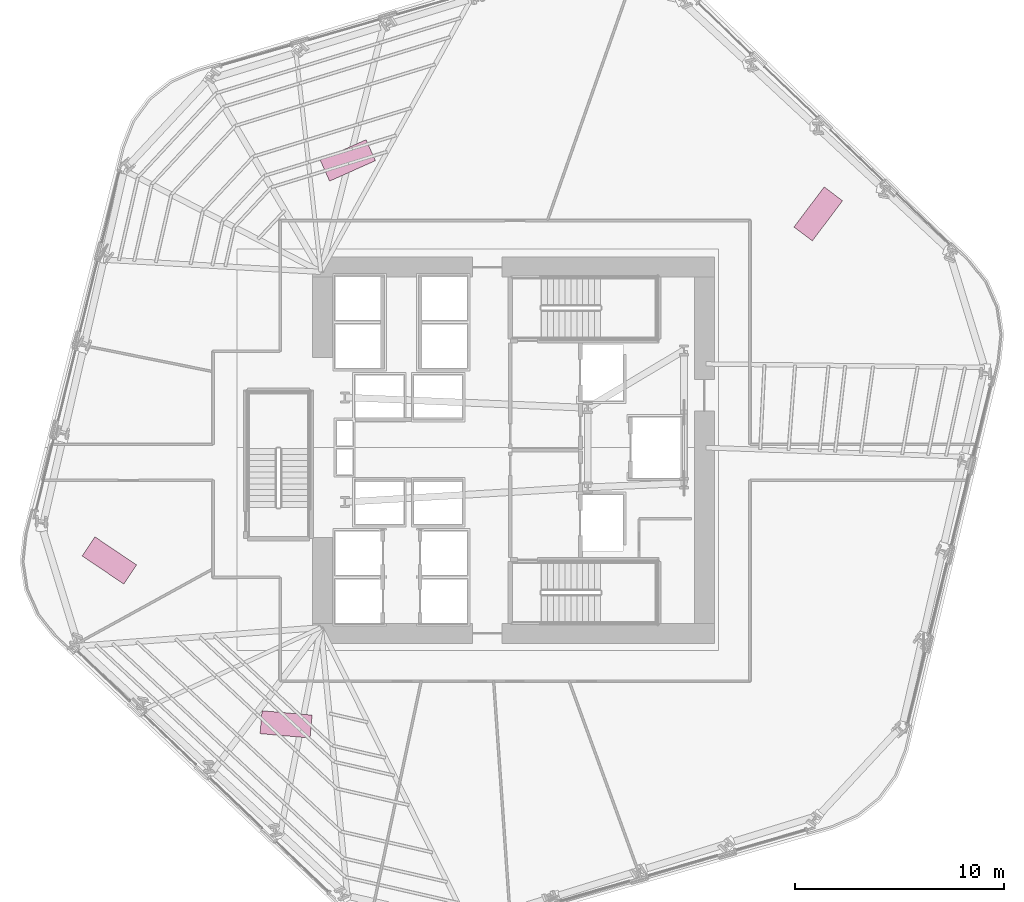
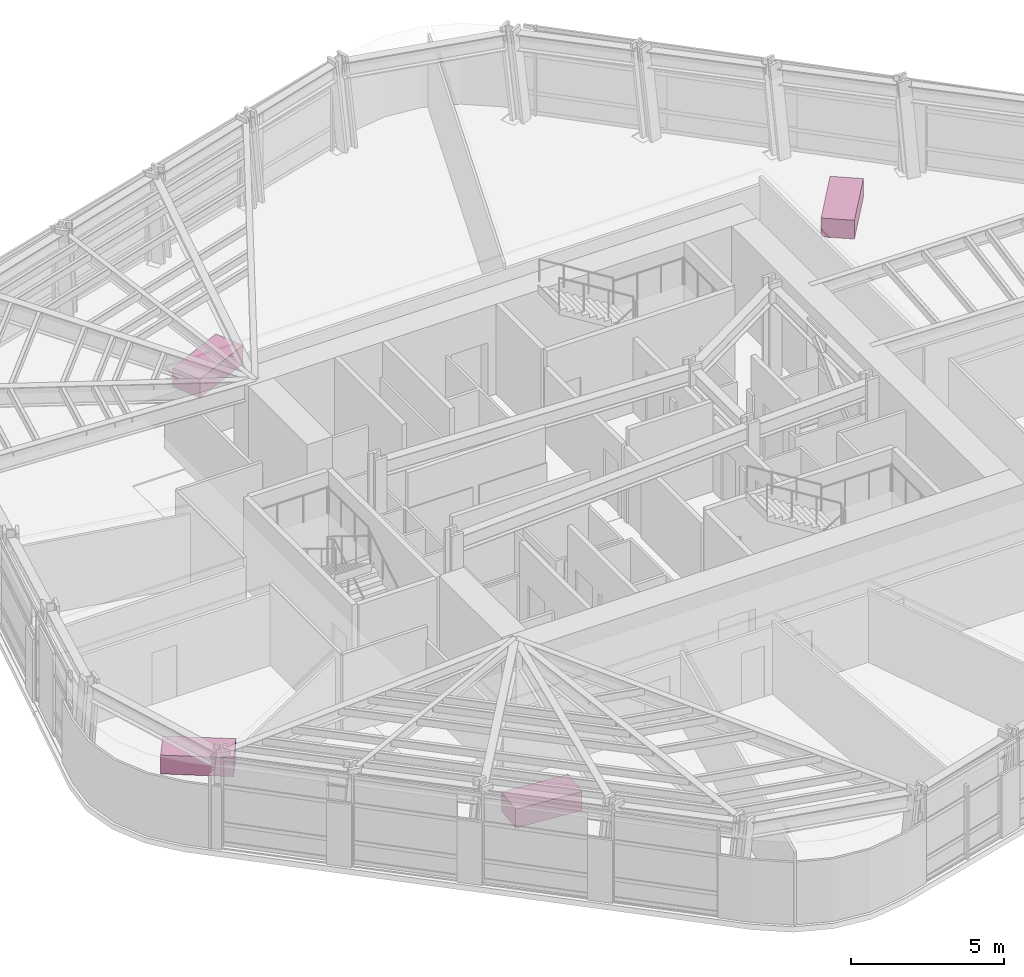
# One storey, part 15 of 15: 4 furniture elements.
"""IFC4 building model written with IfcOpenShell, lengths in metres."""

from ifc_helpers import new_model, si_unit, direction, frame, origin, origin_2d, place, context, subcontext, project, spatial, rectangle, extrude, material, type_object, element, save


model = new_model("IFC4")

# Units and contexts
model_context = context("Model", 3, precision=1e-05, world=origin(), true_north=direction((0.0, 1.0)))
body_context = subcontext(model_context, "Body", "Model", "MODEL_VIEW")
ifc_project = project(units=[si_unit("LENGTHUNIT", "METRE"), si_unit("AREAUNIT", "SQUARE_METRE"), si_unit("VOLUMEUNIT", "CUBIC_METRE"), si_unit("PLANEANGLEUNIT", "RADIAN"), si_unit("MASSUNIT", "GRAM", prefix="KILO")], contexts=[model_context])

# Site, building, storey
site_placement = place(None, origin())
site = spatial("IfcSite", under=ifc_project, at=site_placement, CompositionType="ELEMENT")
building_placement = place(site_placement, origin())
building = spatial("IfcBuilding", under=site, at=building_placement, Name="Valkerne Bourse Tower", CompositionType="ELEMENT")
storey_placement = place(building_placement, frame((0.0, 0.0, 93.39990234375)))
storey = spatial("IfcBuildingStorey", under=building, at=storey_placement, Name="L23", CompositionType="ELEMENT", Elevation=93.39990234375)

# Furniture
ifc_material = material(Name="Architectural White Oak Timber", Category="wood")
furniture_type = type_object("IfcFurnitureType", Name="FURN-DESK-2400", AssemblyPlace="NOTDEFINED", PredefinedType="DESK", material=ifc_material)
for number, where, z_axis, x_axis, name in (
    (1, (27.4951171875, 21.610107421875, 0.045166015625), (0.0, 0.0, 1.0), (-0.829037572555, 0.559192903471, 0.0), "L23 Suite Worktable 05"),
    (2, (35.93798828125, 13.778076171875, 0.045166015625), (0.0, 0.0, 1.0), (-0.996194698092, 0.087155742748, 0.0), "L23 Suite Worktable 06"),
    (3, (38.887939453125, 40.72412109375, 0.045166015625), (0.0, 0.0, 1.0), (0.913545457643, 0.406736643076, 0.0), "L23 Suite Worktable 07"),
    (4, (61.365966796875, 38.16796875, 0.045166015625), (0.0, 0.0, 1.0), (0.601815023152, 0.798635510047, 0.0), "L23 Suite Worktable 08"),
):
    element("IfcFurniture", number, at=place(storey_placement, frame(where, z_axis=z_axis, x_axis=x_axis)), inside=storey, type_object=furniture_type, Name=name, PredefinedType="DESK", context=body_context, shape_type="SweptSolid", body=[
        extrude(rectangle(XDim=2.39990234375, YDim=1.10009765625, at=origin_2d()), origin(), (0.0, 0.0, 1.0), 0.75),
    ])

save(model, "model.ifc")
